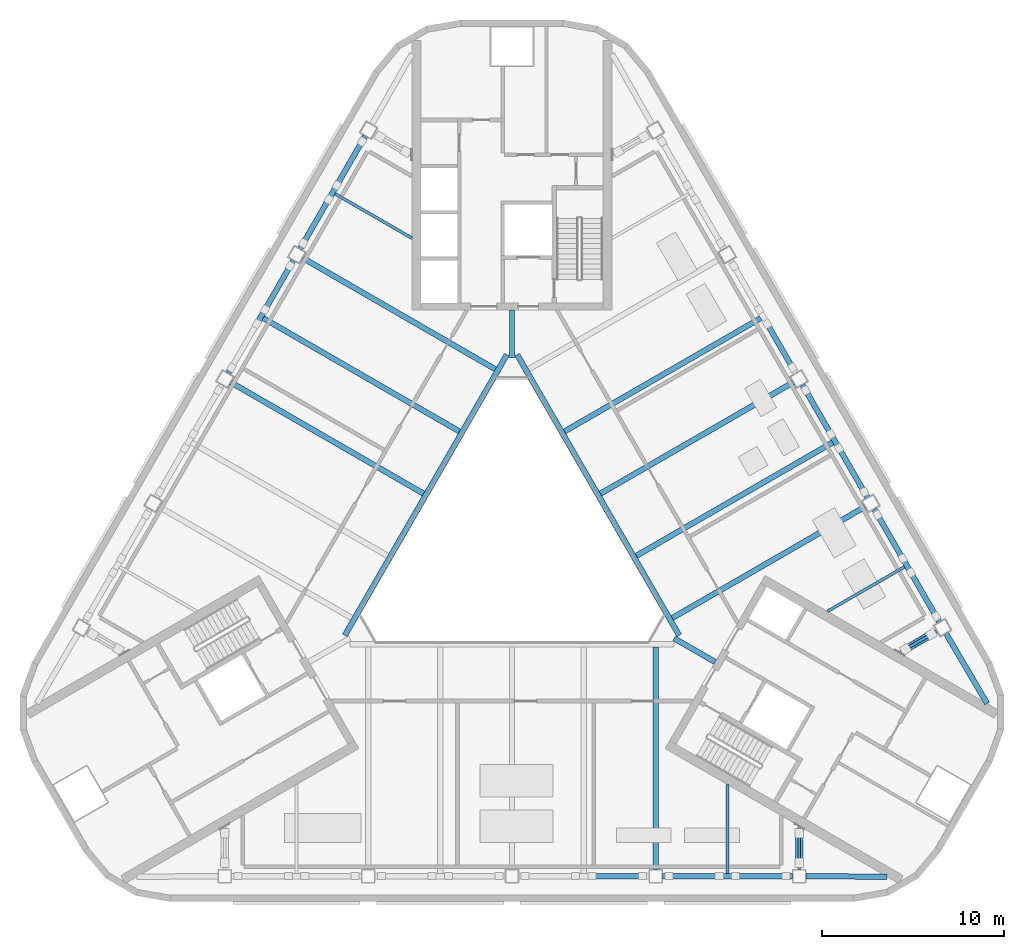
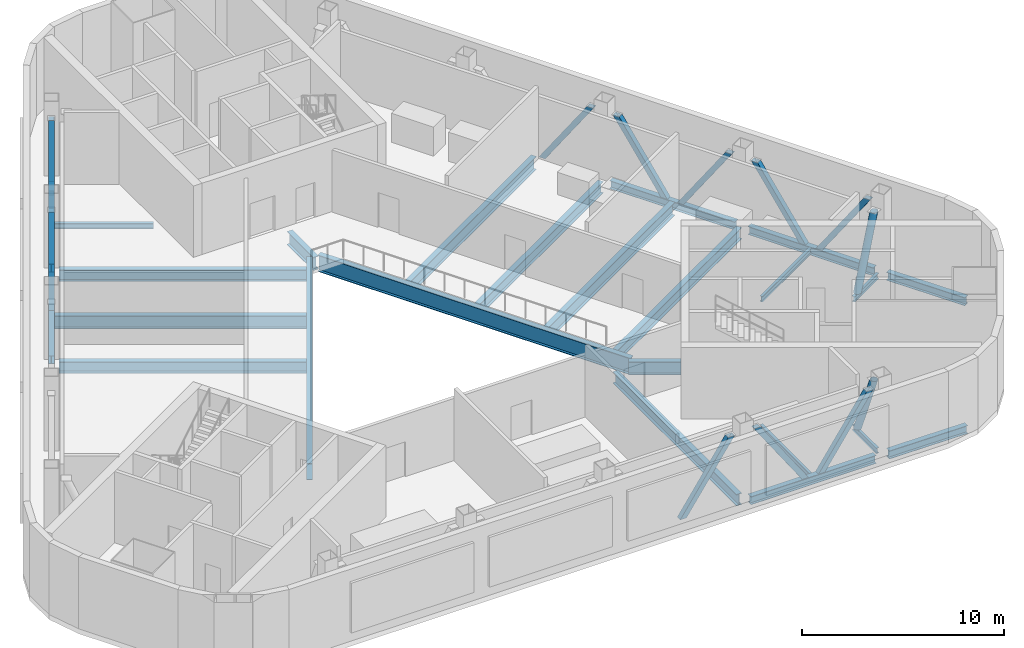
# One storey, part 2 of 14: 24 beams, 13 members.
"""IFC4 building model written with IfcOpenShell, lengths in metres."""

from ifc_helpers import new_model, si_unit, direction, frame, origin, origin_2d, place, context, subcontext, project, spatial, hollow_rectangle, hollow_circle, i_section, extrude, boolean, halfspace, material, material_profile, profile_set, type_object, element, save


model = new_model("IFC4")

# Units and contexts
model_context = context("Model", 3, precision=1e-05, world=origin(), true_north=direction((0.0, 1.0)))
body_context = subcontext(model_context, "Body", "Model", "MODEL_VIEW")
ifc_project = project(units=[si_unit("LENGTHUNIT", "METRE"), si_unit("AREAUNIT", "SQUARE_METRE"), si_unit("VOLUMEUNIT", "CUBIC_METRE"), si_unit("PLANEANGLEUNIT", "RADIAN"), si_unit("MASSUNIT", "GRAM", prefix="KILO")], contexts=[model_context])

# Site, building, storey
site_placement = place(None, origin())
site = spatial("IfcSite", under=ifc_project, at=site_placement, CompositionType="ELEMENT")
building_placement = place(site_placement, origin())
building = spatial("IfcBuilding", under=site, at=building_placement, Name="Apuvela Tower Hotel", CompositionType="ELEMENT")
storey_placement = place(building_placement, frame((0.0, 0.0, 242.199951171875)))
storey = spatial("IfcBuildingStorey", under=building, at=storey_placement, Name="L59 Plant", CompositionType="ELEMENT", Elevation=242.199951171875)

# Beams
ifc_material = material(Name="Steel S355", Category="steel")
ifc_material_profile_1 = material_profile(ifc_material, i_section(OverallWidth=0.300048828125, OverallDepth=0.68994140625, WebThickness=0.014404296875, FlangeThickness=0.027099609375, at=origin_2d()), Name="HE 700 A")
ifc_profile_set_1 = profile_set([ifc_material_profile_1], Name="Steel S355")
beam_type_1 = type_object("IfcBeamType", Name="STR-B floor beam HE 700 A", PredefinedType="BEAM", material=ifc_profile_set_1)
for number, where, z_axis, x_axis, name in (
    (1, (19.412841796875, 2.0859375, -0.64501953125), (-0.866025418325, -0.499999974815, 0.0), (0.499999974815, -0.866025418325, 0.0), "Floor beam B6 NE3"),
    (2, (15.462890625, 8.927490234375, -0.64501953125), (-0.866025418325, -0.499999974815, 0.0), (0.499999974815, -0.866025418325, 0.0), "Floor beam B6 NE5"),
):
    element("IfcBeam", number, at=place(storey_placement, frame(where, z_axis=z_axis, x_axis=x_axis)), inside=storey, type_object=beam_type_1, Name=name, PredefinedType="BEAM", context=body_context, shape_type="SweptSolid", body=[
        extrude(i_section(OverallWidth=0.300048828125, OverallDepth=0.68994140625, WebThickness=0.014404296875, FlangeThickness=0.027099609375, at=origin_2d()), origin(), (0.0, 0.0, 1.0), 12.23486328125),
    ])
beam_1_placement = place(storey_placement, frame((-11.512939453125, 15.76904296875, -0.64501953125), z_axis=(0.866030406821, -0.499991334387, 0.0), x_axis=(0.499991334387, 0.866030406821, 0.0)))
element("IfcBeam", 3, at=beam_1_placement, inside=storey, type_object=beam_type_1, Name="Floor beam B6 NW3", PredefinedType="BEAM", context=body_context, shape_type="SweptSolid", body=[
    extrude(i_section(OverallWidth=0.300048828125, OverallDepth=0.68994140625, WebThickness=0.014404296875, FlangeThickness=0.027099609375, at=origin_2d()), origin(), (0.0, 0.0, 1.0), 12.235107421875),
])
for number, where, z_axis, x_axis, name in (
    (4, (-15.462890625, 8.927490234375, -0.64501953125), (0.866025418325, -0.499999974815, 0.0), (0.499999974815, 0.866025418325, 0.0), "Floor beam B6 NW5"),
    (5, (7.89990234375, -17.85498046875, -0.64501953125), (0.0, 1.0, 0.0), (-1.0, 0.0, 0.0), "Floor beam B6 S7"),
):
    element("IfcBeam", number, at=place(storey_placement, frame(where, z_axis=z_axis, x_axis=x_axis)), inside=storey, type_object=beam_type_1, Name=name, PredefinedType="BEAM", context=body_context, shape_type="SweptSolid", body=[
        extrude(i_section(OverallWidth=0.300048828125, OverallDepth=0.68994140625, WebThickness=0.014404296875, FlangeThickness=0.027099609375, at=origin_2d()), origin(), (0.0, 0.0, 1.0), 12.23486328125),
    ])
ifc_material_profile_2 = material_profile(ifc_material, i_section(OverallWidth=0.300048828125, OverallDepth=0.7900390625, WebThickness=0.014892578125, FlangeThickness=0.028076171875, at=origin_2d()), Name="HE 800 A")
ifc_profile_set_2 = profile_set([ifc_material_profile_2], Name="Steel S355")
beam_type_2 = type_object("IfcBeamType", Name="STR-B floor beam HE 800 A", PredefinedType="BEAM", material=ifc_profile_set_2)
for number, where, z_axis, x_axis, name in (
    (6, (17.6328125, 5.619140625, -0.695068359375), (-0.866027987673, -0.499995524547, 0.0), (0.499995524547, -0.866027987673, 0.0), "Floor beam B5 NE4"),
    (7, (13.6826171875, 12.460693359375, -0.695068359375), (-0.866023089177, -0.500004008996, 0.0), (0.500004008996, -0.866023089177, 0.0), "Floor beam B5 NE6"),
    (8, (-13.6826171875, 12.460693359375, -0.695068359375), (0.866023089177, -0.500004008996, 0.0), (0.500004008996, 0.866023089177, 0.0), "Floor beam B5 NW4"),
):
    element("IfcBeam", number, at=place(storey_placement, frame(where, z_axis=z_axis, x_axis=x_axis)), inside=storey, type_object=beam_type_2, Name=name, PredefinedType="BEAM", context=body_context, shape_type="SweptSolid", body=[
        extrude(i_section(OverallWidth=0.300048828125, OverallDepth=0.7900390625, WebThickness=0.014892578125, FlangeThickness=0.028076171875, at=origin_2d()), origin(), (0.0, 0.0, 1.0), 12.4599609375),
    ])
ifc_material_profile_3 = material_profile(ifc_material, i_section(OverallWidth=0.159912109375, OverallDepth=0.330078125, WebThickness=0.007568359375, FlangeThickness=0.011474609375, at=origin_2d()), Name="IPE 330")
ifc_profile_set_3 = profile_set([ifc_material_profile_3], Name="Steel S355")
beam_type_3 = type_object("IfcBeamType", Name="STR-B floor beam IPE 330", PredefinedType="BEAM", material=ifc_profile_set_3)
beam_2_placement = place(storey_placement, frame((23.36279296875, -4.755615234375, -0.46484375), z_axis=(-0.865982457891, -0.500074377092, 0.0), x_axis=(0.500074377092, -0.865982457891, 0.0)))
element("IfcBeam", 9, at=beam_2_placement, inside=storey, type_object=beam_type_3, Name="Floor beam B1 NE1", PredefinedType="BEAM", context=body_context, shape_type="SweptSolid", body=[
    extrude(i_section(OverallWidth=0.159912109375, OverallDepth=0.330078125, WebThickness=0.007568359375, FlangeThickness=0.011474609375, at=origin_2d()), origin(), (0.0, 0.0, 1.0), 2.382080078125),
])
for number, where, z_axis, x_axis, name in (
    (10, (21.582763671875, -1.222412109375, -0.46484375), (-0.866015056278, -0.500017921979, 0.0), (0.500017921979, -0.866015056278, 0.0), "Floor beam B1 NE2"),
    (11, (-9.732666015625, 19.302490234375, -0.46484375), (0.866015056278, -0.500017921979, 0.0), (0.500017921979, 0.866015056278, 0.0), "Floor beam B1 NW2"),
):
    element("IfcBeam", number, at=place(storey_placement, frame(where, z_axis=z_axis, x_axis=x_axis)), inside=storey, type_object=beam_type_3, Name=name, PredefinedType="BEAM", context=body_context, shape_type="SweptSolid", body=[
        extrude(i_section(OverallWidth=0.159912109375, OverallDepth=0.330078125, WebThickness=0.007568359375, FlangeThickness=0.011474609375, at=origin_2d()), origin(), (0.0, 0.0, 1.0), 4.887451171875),
    ])
beam_3_placement = place(storey_placement, frame((11.85009765625, -18.080078125, -0.46484375), z_axis=(0.0, 1.0, 0.0), x_axis=(-1.0, 0.0, 0.0)))
element("IfcBeam", 12, at=beam_3_placement, inside=storey, type_object=beam_type_3, Name="Floor beam B1 S8", PredefinedType="BEAM", context=body_context, shape_type="SweptSolid", body=[
    extrude(i_section(OverallWidth=0.159912109375, OverallDepth=0.330078125, WebThickness=0.007568359375, FlangeThickness=0.011474609375, at=origin_2d()), origin(), (0.0, 0.0, 1.0), 4.8876953125),
])
beam_4_placement = place(storey_placement, frame((15.800048828125, -17.85498046875, -0.46484375), z_axis=(0.0, 1.0, 0.0), x_axis=(-1.0, 0.0, 0.0)))
element("IfcBeam", 13, at=beam_4_placement, inside=storey, type_object=beam_type_3, Name="Floor beam B1 S9", PredefinedType="BEAM", context=body_context, shape_type="SweptSolid", body=[
    extrude(i_section(OverallWidth=0.159912109375, OverallDepth=0.330078125, WebThickness=0.007568359375, FlangeThickness=0.011474609375, at=origin_2d()), origin(), (0.0, 0.0, 1.0), 2.382080078125),
])
ifc_material_profile_4 = material_profile(ifc_material, i_section(OverallWidth=0.300048828125, OverallDepth=1.0, WebThickness=0.01904296875, FlangeThickness=0.035888671875, at=origin_2d()), Name="HE 1000 B")
ifc_profile_set_4 = profile_set([ifc_material_profile_4], Name="Steel S355")
beam_type_4 = type_object("IfcBeamType", Name="STR-G atrium ring girder HE 1000 B", PredefinedType="BEAM", material=ifc_profile_set_4)
for number, where, z_axis, x_axis, name in (
    (14, (-0.27978515625, 10.455078125, -0.800048828125), (-0.500006541319, -0.866021627119, 0.0), (0.866021627119, -0.500006541319, 0.0), "Atrium ring girder G2 N-SW"),
    (15, (9.1943359375, -4.985107421875, -0.800048828125), (-0.500006541319, 0.866021627119, 0.0), (-0.866021627119, -0.500006541319, 0.0), "Atrium ring girder G2 SE-N"),
):
    element("IfcBeam", number, at=place(storey_placement, frame(where, z_axis=z_axis, x_axis=x_axis)), inside=storey, type_object=beam_type_4, Name=name, PredefinedType="BEAM", context=body_context, shape_type="SweptSolid", body=[
        extrude(i_section(OverallWidth=0.300048828125, OverallDepth=1.0, WebThickness=0.01904296875, FlangeThickness=0.035888671875, at=origin_2d()), origin(), (0.0, 0.0, 1.0), 17.828857421875),
    ])
ifc_material_profile_5 = material_profile(ifc_material, i_section(OverallWidth=0.300048828125, OverallDepth=0.800048828125, WebThickness=0.017578125, FlangeThickness=0.032958984375, at=origin_2d()), Name="HE 800 B")
ifc_profile_set_5 = profile_set([ifc_material_profile_5], Name="Steel S355")
beam_type_5 = type_object("IfcBeamType", Name="STR-GT core tie beam HE 800 B", PredefinedType="BEAM", material=ifc_profile_set_5)
for number, where, z_axis, x_axis, name in (
    (16, (0.0, 12.89990234375, -0.699951171875), (0.0, -1.0, 0.0), (1.0, 0.0, 0.0), "Core tie beam GT1 N"),
    (17, (11.171630859375, -6.449951171875, -0.699951171875), (-0.865997922154, 0.500047596559, 0.0), (-0.500047596559, -0.865997922154, 0.0), "Core tie beam GT1 SE"),
):
    element("IfcBeam", number, at=place(storey_placement, frame(where, z_axis=z_axis, x_axis=x_axis)), inside=storey, type_object=beam_type_5, Name=name, PredefinedType="BEAM", context=body_context, shape_type="SweptSolid", body=[
        extrude(i_section(OverallWidth=0.300048828125, OverallDepth=0.800048828125, WebThickness=0.017578125, FlangeThickness=0.032958984375, at=origin_2d()), origin(), (0.0, 0.0, 1.0), 2.599853515625),
    ])
ifc_material_profile_6 = material_profile(ifc_material, i_section(OverallWidth=0.300048828125, OverallDepth=0.489990234375, WebThickness=0.011962890625, FlangeThickness=0.02294921875, at=origin_2d()), Name="HE 500 A")
ifc_profile_set_6 = profile_set([ifc_material_profile_6], Name="Steel S355")
beam_type_6 = type_object("IfcBeamType", Name="STR-SB spandrel beam HE 500 A", PredefinedType="SPANDREL", material=ifc_profile_set_6)
beam_5_placement = place(storey_placement, frame((8.27490234375, -18.22998046875, -0.544921875), z_axis=(1.0, 0.0, 0.0), x_axis=(0.0, 1.0, 0.0)))
element("IfcBeam", 18, at=beam_5_placement, inside=storey, type_object=beam_type_6, Name="Spandrel beam SB3 S4", PredefinedType="SPANDREL", context=body_context, shape_type="SweptSolid", body=[
    extrude(i_section(OverallWidth=0.300048828125, OverallDepth=0.489990234375, WebThickness=0.011962890625, FlangeThickness=0.02294921875, at=origin_2d()), origin(), (0.0, 0.0, 1.0), 7.150146484375),
])
beam_6_placement = place(storey_placement, frame((23.5, -4.243408203125, -0.544921875), z_axis=(-0.500006209673, 0.866021818598, 0.0), x_axis=(-0.866021818598, -0.500006209673, 0.0)))
element("IfcBeam", 19, at=beam_6_placement, inside=storey, type_object=beam_type_6, Name="Spandrel beam SB3 NE1", PredefinedType="SPANDREL", context=body_context, shape_type="SweptSolid", body=[
    extrude(i_section(OverallWidth=0.300048828125, OverallDepth=0.489990234375, WebThickness=0.011962890625, FlangeThickness=0.02294921875, at=origin_2d()), origin(), (0.0, 0.0, 1.0), 7.14990234375),
])
beam_7_placement = place(storey_placement, frame((19.550048828125, 2.59814453125, -0.544921875), z_axis=(-0.499991424076, 0.86603035504, 0.0), x_axis=(-0.86603035504, -0.499991424076, 0.0)))
element("IfcBeam", 20, at=beam_7_placement, inside=storey, type_object=beam_type_6, Name="Spandrel beam SB3 NE2", PredefinedType="SPANDREL", context=body_context, shape_type="SweptSolid", body=[
    extrude(i_section(OverallWidth=0.300048828125, OverallDepth=0.489990234375, WebThickness=0.011962890625, FlangeThickness=0.02294921875, at=origin_2d()), origin(), (0.0, 0.0, 1.0), 7.150146484375),
])
beam_8_placement = place(storey_placement, frame((-8.0751953125, 22.473388671875, -0.544921875), z_axis=(-0.500006209673, -0.866021818598, 0.0), x_axis=(0.866021818598, -0.500006209673, 0.0)))
element("IfcBeam", 21, at=beam_8_placement, inside=storey, type_object=beam_type_6, Name="Spandrel beam SB3 NW1", PredefinedType="SPANDREL", context=body_context, shape_type="SweptSolid", body=[
    extrude(i_section(OverallWidth=0.300048828125, OverallDepth=0.489990234375, WebThickness=0.011962890625, FlangeThickness=0.02294921875, at=origin_2d()), origin(), (0.0, 0.0, 1.0), 7.14990234375),
])
beam_9_placement = place(storey_placement, frame((-12.025146484375, 15.6318359375, -0.544921875), z_axis=(-0.499991424076, -0.86603035504, 0.0), x_axis=(0.86603035504, -0.499991424076, 0.0)))
element("IfcBeam", 22, at=beam_9_placement, inside=storey, type_object=beam_type_6, Name="Spandrel beam SB3 NW2", PredefinedType="SPANDREL", context=body_context, shape_type="SweptSolid", body=[
    extrude(i_section(OverallWidth=0.300048828125, OverallDepth=0.489990234375, WebThickness=0.011962890625, FlangeThickness=0.02294921875, at=origin_2d()), origin(), (0.0, 0.0, 1.0), 7.150146484375),
])
for number, where, z_axis, x_axis, name in (
    (23, (16.175048828125, -18.232666015625, -0.544921875), (0.999976567383, -0.006845778571, 0.0), (0.006845778571, 0.999976567383, 0.0), "Spandrel beam SB3 S5-SE"),
    (24, (23.87744140625, -4.8916015625, -0.544921875), (0.505933122104, -0.862572707636, 0.0), (0.862572707636, 0.505933122104, 0.0), "Spandrel beam SB3 NE1-SE"),
):
    element("IfcBeam", number, at=place(storey_placement, frame(where, z_axis=z_axis, x_axis=x_axis)), inside=storey, type_object=beam_type_6, Name=name, PredefinedType="SPANDREL", context=body_context, shape_type="SweptSolid", body=[
        extrude(i_section(OverallWidth=0.300048828125, OverallDepth=0.489990234375, WebThickness=0.011962890625, FlangeThickness=0.02294921875, at=origin_2d()), origin(), (0.0, 0.0, 1.0), 4.457763671875),
    ])

# Members
ifc_material_profile_7 = material_profile(ifc_material, hollow_rectangle(XDim=0.300048828125, YDim=0.300048828125, WallThickness=0.012451171875, at=origin_2d()), Name="SHS 300x300x12.5")
ifc_profile_set_7 = profile_set([ifc_material_profile_7], Name="Steel S355")
member_type_1 = type_object("IfcMemberType", Name="STR-T2 belt truss diagonal SHS 300x300x12.5", PredefinedType="BRACE", material=ifc_profile_set_7)
member_1_placement = place(storey_placement, frame((4.39990234375, -18.22998046875, -0.300048828125), z_axis=(0.565247106816, 0.0, 0.824921637633), x_axis=(-0.824921637633, 0.0, 0.565247106816)))
solid_1 = boolean("DIFFERENCE", boolean("DIFFERENCE", extrude(hollow_rectangle(XDim=0.300048828125, YDim=0.300048828125, WallThickness=0.012451171875, at=origin_2d()), frame((0.0, 0.0, -0.222900390625)), (0.0, 0.0, 1.0), 5.355224609375), halfspace(frame((0.0, 0.0, 0.0244140625), z_axis=(0.565247106816, 0.0, 0.824921637633), x_axis=(0.824921637633, 0.0, -0.565247106816)), True)), halfspace(frame((0.0, 0.0, 4.885498046875), z_axis=(0.565247106816, 0.0, 0.824921637633), x_axis=(0.824921637633, 0.0, -0.565247106816)), False))
element("IfcMember", 25, at=member_1_placement, inside=storey, type_object=member_type_1, Name="Belt truss diagonal BR3 S3", PredefinedType="BRACE", context=body_context, shape_type="SweptSolid", body=[
    boolean("UNION", boolean("DIFFERENCE", boolean("DIFFERENCE", extrude(hollow_rectangle(XDim=0.300048828125, YDim=0.300048828125, WallThickness=0.012451171875, at=origin_2d()), origin(), (0.0, 0.0, 1.0), 4.90966796875), halfspace(frame((0.0, 0.0, 0.0244140625), z_axis=(0.565247106816, 0.0, 0.824921637633), x_axis=(0.824921637633, 0.0, -0.565247106816)), True)), halfspace(frame((0.0, 0.0, 4.885498046875), z_axis=(0.565247106816, 0.0, 0.824921637633), x_axis=(0.824921637633, 0.0, -0.565247106816)), False)), solid_1),
])
member_2_placement = place(storey_placement, frame((11.39990234375, -18.22998046875, -0.300048828125), z_axis=(-0.565213266362, 0.0, 0.824944824536), x_axis=(0.824944824536, 0.0, 0.565213266362)))
solid_2 = boolean("DIFFERENCE", boolean("DIFFERENCE", extrude(hollow_rectangle(XDim=0.300048828125, YDim=0.300048828125, WallThickness=0.012451171875, at=origin_2d()), frame((0.0, 0.0, -0.222900390625)), (0.0, 0.0, 1.0), 5.35498046875), halfspace(frame((0.0, 0.0, 0.0244140625), z_axis=(0.565213266362, 0.0, 0.824944824536), x_axis=(0.824944824536, 0.0, -0.565213266362)), True)), halfspace(frame((0.0, 0.0, 4.88525390625), z_axis=(0.565213266362, 0.0, 0.824944824536), x_axis=(0.824944824536, 0.0, -0.565213266362)), False))
element("IfcMember", 26, at=member_2_placement, inside=storey, type_object=member_type_1, Name="Belt truss diagonal BR3 S4", PredefinedType="BRACE", context=body_context, shape_type="SweptSolid", body=[
    boolean("UNION", boolean("DIFFERENCE", boolean("DIFFERENCE", extrude(hollow_rectangle(XDim=0.300048828125, YDim=0.300048828125, WallThickness=0.012451171875, at=origin_2d()), origin(), (0.0, 0.0, 1.0), 4.909423828125), halfspace(frame((0.0, 0.0, 0.0244140625), z_axis=(0.565213266362, 0.0, 0.824944824536), x_axis=(0.824944824536, 0.0, -0.565213266362)), True)), halfspace(frame((0.0, 0.0, 4.88525390625), z_axis=(0.565213266362, 0.0, 0.824944824536), x_axis=(0.824944824536, 0.0, -0.565213266362)), False)), solid_2),
])
member_3_placement = place(storey_placement, frame((12.300048828125, -18.22998046875, -0.300048828125), z_axis=(0.565213266362, 0.0, 0.824944824536), x_axis=(-0.824944824536, 0.0, 0.565213266362)))
solid_3 = boolean("DIFFERENCE", boolean("DIFFERENCE", extrude(hollow_rectangle(XDim=0.300048828125, YDim=0.300048828125, WallThickness=0.012451171875, at=origin_2d()), frame((0.0, 0.0, -0.222900390625)), (0.0, 0.0, 1.0), 5.35498046875), halfspace(frame((0.0, 0.0, 0.0244140625), z_axis=(0.565213266362, 0.0, 0.824944824536), x_axis=(0.824944824536, 0.0, -0.565213266362)), True)), halfspace(frame((0.0, 0.0, 4.88525390625), z_axis=(0.565213266362, 0.0, 0.824944824536), x_axis=(0.824944824536, 0.0, -0.565213266362)), False))
element("IfcMember", 27, at=member_3_placement, inside=storey, type_object=member_type_1, Name="Belt truss diagonal BR3 S4", PredefinedType="BRACE", context=body_context, shape_type="SweptSolid", body=[
    boolean("UNION", boolean("DIFFERENCE", boolean("DIFFERENCE", extrude(hollow_rectangle(XDim=0.300048828125, YDim=0.300048828125, WallThickness=0.012451171875, at=origin_2d()), origin(), (0.0, 0.0, 1.0), 4.909423828125), halfspace(frame((0.0, 0.0, 0.0244140625), z_axis=(0.565213266362, 0.0, 0.824944824536), x_axis=(0.824944824536, 0.0, -0.565213266362)), True)), halfspace(frame((0.0, 0.0, 4.88525390625), z_axis=(0.565213266362, 0.0, 0.824944824536), x_axis=(0.824944824536, 0.0, -0.565213266362)), False)), solid_3),
])
member_4_placement = place(storey_placement, frame((21.9375, -1.537109375, -0.300048828125), z_axis=(0.282654072805, -0.489472913198, 0.824938144574), x_axis=(-0.412531195376, 0.714381519368, 0.565223015833)))
solid_4 = boolean("DIFFERENCE", boolean("DIFFERENCE", extrude(hollow_rectangle(XDim=0.300048828125, YDim=0.300048828125, WallThickness=0.012451171875, at=origin_2d()), frame((0.0, 0.0, -0.222900390625)), (0.0, 0.0, 1.0), 5.355224609375), halfspace(frame((0.0, 0.0, 0.0244140625), z_axis=(0.565223015833, 0.0, 0.824938144574), x_axis=(0.824938144574, 0.0, -0.565223015833)), True)), halfspace(frame((0.0, 0.0, 4.88525390625), z_axis=(0.565223015833, 0.0, 0.824938144574), x_axis=(0.824938144574, 0.0, -0.565223015833)), False))
element("IfcMember", 28, at=member_4_placement, inside=storey, type_object=member_type_1, Name="Belt truss diagonal BR3 NE1", PredefinedType="BRACE", context=body_context, shape_type="SweptSolid", body=[
    boolean("UNION", boolean("DIFFERENCE", boolean("DIFFERENCE", extrude(hollow_rectangle(XDim=0.300048828125, YDim=0.300048828125, WallThickness=0.012451171875, at=origin_2d()), origin(), (0.0, 0.0, 1.0), 4.909423828125), halfspace(frame((0.0, 0.0, 0.0244140625), z_axis=(0.565223015833, 0.0, 0.824938144574), x_axis=(0.824938144574, 0.0, -0.565223015833)), True)), halfspace(frame((0.0, 0.0, 4.88525390625), z_axis=(0.565223015833, 0.0, 0.824938144574), x_axis=(0.824938144574, 0.0, -0.565223015833)), False)), solid_4),
])
member_5_placement = place(storey_placement, frame((21.487548828125, -0.7578125, -0.300048828125), z_axis=(-0.282601437631, 0.489517605497, 0.82492965843), x_axis=(0.412441094398, -0.714423743313, 0.565235401087)))
solid_5 = boolean("DIFFERENCE", boolean("DIFFERENCE", extrude(hollow_rectangle(XDim=0.300048828125, YDim=0.300048828125, WallThickness=0.012451171875, at=origin_2d()), frame((0.0, 0.0, -0.222900390625)), (0.0, 0.0, 1.0), 5.355224609375), halfspace(frame((0.0, 0.0, 0.0244140625), z_axis=(0.565235401087, 0.0, 0.82492965843), x_axis=(0.82492965843, 0.0, -0.565235401087)), True)), halfspace(frame((0.0, 0.0, 4.885498046875), z_axis=(0.565235401087, 0.0, 0.82492965843), x_axis=(0.82492965843, 0.0, -0.565235401087)), False))
element("IfcMember", 29, at=member_5_placement, inside=storey, type_object=member_type_1, Name="Belt truss diagonal BR3 NE1", PredefinedType="BRACE", context=body_context, shape_type="SweptSolid", body=[
    boolean("UNION", boolean("DIFFERENCE", boolean("DIFFERENCE", extrude(hollow_rectangle(XDim=0.300048828125, YDim=0.300048828125, WallThickness=0.012451171875, at=origin_2d()), origin(), (0.0, 0.0, 1.0), 4.90966796875), halfspace(frame((0.0, 0.0, 0.0244140625), z_axis=(0.565235401087, 0.0, 0.82492965843), x_axis=(0.82492965843, 0.0, -0.565235401087)), True)), halfspace(frame((0.0, 0.0, 4.885498046875), z_axis=(0.565235401087, 0.0, 0.82492965843), x_axis=(0.82492965843, 0.0, -0.565235401087)), False)), solid_5),
])
member_6_placement = place(storey_placement, frame((17.987548828125, 5.304443359375, -0.300048828125), z_axis=(0.282608316756, -0.489479792685, 0.824949738987), x_axis=(-0.412482561349, 0.714422989857, 0.565206093515)))
solid_6 = boolean("DIFFERENCE", boolean("DIFFERENCE", extrude(hollow_rectangle(XDim=0.300048828125, YDim=0.300048828125, WallThickness=0.012451171875, at=origin_2d()), frame((0.0, 0.0, -0.222900390625)), (0.0, 0.0, 1.0), 5.35498046875), halfspace(frame((0.0, 0.0, 0.0244140625), z_axis=(0.565206093515, 0.0, 0.824949738987), x_axis=(0.824949738987, 0.0, -0.565206093515)), True)), halfspace(frame((0.0, 0.0, 4.88525390625), z_axis=(0.565206093515, 0.0, 0.824949738987), x_axis=(0.824949738987, 0.0, -0.565206093515)), False))
element("IfcMember", 30, at=member_6_placement, inside=storey, type_object=member_type_1, Name="Belt truss diagonal BR3 NE2", PredefinedType="BRACE", context=body_context, shape_type="SweptSolid", body=[
    boolean("UNION", boolean("DIFFERENCE", boolean("DIFFERENCE", extrude(hollow_rectangle(XDim=0.300048828125, YDim=0.300048828125, WallThickness=0.012451171875, at=origin_2d()), origin(), (0.0, 0.0, 1.0), 4.909423828125), halfspace(frame((0.0, 0.0, 0.0244140625), z_axis=(0.565206093515, 0.0, 0.824949738987), x_axis=(0.824949738987, 0.0, -0.565206093515)), True)), halfspace(frame((0.0, 0.0, 4.88525390625), z_axis=(0.565206093515, 0.0, 0.824949738987), x_axis=(0.824949738987, 0.0, -0.565206093515)), False)), solid_6),
])
member_7_placement = place(storey_placement, frame((17.53759765625, 6.083984375, -0.300048828125), z_axis=(-0.282608316756, 0.489479792685, 0.824949738987), x_axis=(0.412482561349, -0.714422989857, 0.565206093515)))
solid_7 = boolean("DIFFERENCE", boolean("DIFFERENCE", extrude(hollow_rectangle(XDim=0.300048828125, YDim=0.300048828125, WallThickness=0.012451171875, at=origin_2d()), frame((0.0, 0.0, -0.222900390625)), (0.0, 0.0, 1.0), 5.35498046875), halfspace(frame((0.0, 0.0, 0.0244140625), z_axis=(0.565206093515, 0.0, 0.824949738987), x_axis=(0.824949738987, 0.0, -0.565206093515)), True)), halfspace(frame((0.0, 0.0, 4.88525390625), z_axis=(0.565206093515, 0.0, 0.824949738987), x_axis=(0.824949738987, 0.0, -0.565206093515)), False))
element("IfcMember", 31, at=member_7_placement, inside=storey, type_object=member_type_1, Name="Belt truss diagonal BR3 NE2", PredefinedType="BRACE", context=body_context, shape_type="SweptSolid", body=[
    boolean("UNION", boolean("DIFFERENCE", boolean("DIFFERENCE", extrude(hollow_rectangle(XDim=0.300048828125, YDim=0.300048828125, WallThickness=0.012451171875, at=origin_2d()), origin(), (0.0, 0.0, 1.0), 4.909423828125), halfspace(frame((0.0, 0.0, 0.0244140625), z_axis=(0.565206093515, 0.0, 0.824949738987), x_axis=(0.824949738987, 0.0, -0.565206093515)), True)), halfspace(frame((0.0, 0.0, 4.88525390625), z_axis=(0.565206093515, 0.0, 0.824949738987), x_axis=(0.824949738987, 0.0, -0.565206093515)), False)), solid_7),
])
member_8_placement = place(storey_placement, frame((14.03759765625, 12.14599609375, -0.300048828125), z_axis=(0.282608316756, -0.489479792685, 0.824949738987), x_axis=(-0.412482561349, 0.714422989857, 0.565206093515)))
solid_8 = boolean("DIFFERENCE", boolean("DIFFERENCE", extrude(hollow_rectangle(XDim=0.300048828125, YDim=0.300048828125, WallThickness=0.012451171875, at=origin_2d()), frame((0.0, 0.0, -0.222900390625)), (0.0, 0.0, 1.0), 5.35498046875), halfspace(frame((0.0, 0.0, 0.0244140625), z_axis=(0.565206093515, 0.0, 0.824949738987), x_axis=(0.824949738987, 0.0, -0.565206093515)), True)), halfspace(frame((0.0, 0.0, 4.88525390625), z_axis=(0.565206093515, 0.0, 0.824949738987), x_axis=(0.824949738987, 0.0, -0.565206093515)), False))
element("IfcMember", 32, at=member_8_placement, inside=storey, type_object=member_type_1, Name="Belt truss diagonal BR3 NE3", PredefinedType="BRACE", context=body_context, shape_type="SweptSolid", body=[
    boolean("UNION", boolean("DIFFERENCE", boolean("DIFFERENCE", extrude(hollow_rectangle(XDim=0.300048828125, YDim=0.300048828125, WallThickness=0.012451171875, at=origin_2d()), origin(), (0.0, 0.0, 1.0), 4.909423828125), halfspace(frame((0.0, 0.0, 0.0244140625), z_axis=(0.565206093515, 0.0, 0.824949738987), x_axis=(0.824949738987, 0.0, -0.565206093515)), True)), halfspace(frame((0.0, 0.0, 4.88525390625), z_axis=(0.565206093515, 0.0, 0.824949738987), x_axis=(0.824949738987, 0.0, -0.565206093515)), False)), solid_8),
])
member_9_placement = place(storey_placement, frame((-9.6376953125, 19.76708984375, -0.300048828125), z_axis=(0.282647192759, 0.489510725813, 0.824918064864), x_axis=(-0.412489726583, -0.714382278057, 0.565252320881)))
solid_9 = boolean("DIFFERENCE", boolean("DIFFERENCE", extrude(hollow_rectangle(XDim=0.300048828125, YDim=0.300048828125, WallThickness=0.012451171875, at=origin_2d()), frame((0.0, 0.0, -0.222900390625)), (0.0, 0.0, 1.0), 5.355224609375), halfspace(frame((0.0, 0.0, 0.0244140625), z_axis=(0.565252320881, 0.0, 0.824918064864), x_axis=(0.824918064864, 0.0, -0.565252320881)), True)), halfspace(frame((0.0, 0.0, 4.885498046875), z_axis=(0.565252320881, 0.0, 0.824918064864), x_axis=(0.824918064864, 0.0, -0.565252320881)), False))
element("IfcMember", 33, at=member_9_placement, inside=storey, type_object=member_type_1, Name="Belt truss diagonal BR3 NW1", PredefinedType="BRACE", context=body_context, shape_type="SweptSolid", body=[
    boolean("UNION", boolean("DIFFERENCE", boolean("DIFFERENCE", extrude(hollow_rectangle(XDim=0.300048828125, YDim=0.300048828125, WallThickness=0.012451171875, at=origin_2d()), origin(), (0.0, 0.0, 1.0), 4.90966796875), halfspace(frame((0.0, 0.0, 0.0244140625), z_axis=(0.565252320881, 0.0, 0.824918064864), x_axis=(0.824918064864, 0.0, -0.565252320881)), True)), halfspace(frame((0.0, 0.0, 4.885498046875), z_axis=(0.565252320881, 0.0, 0.824918064864), x_axis=(0.824918064864, 0.0, -0.565252320881)), False)), solid_9),
])
member_10_placement = place(storey_placement, frame((-10.087646484375, 18.98779296875, -0.300048828125), z_axis=(-0.282601437631, -0.489517605497, 0.82492965843), x_axis=(0.412441094398, 0.714423743313, 0.565235401087)))
solid_10 = boolean("DIFFERENCE", boolean("DIFFERENCE", extrude(hollow_rectangle(XDim=0.300048828125, YDim=0.300048828125, WallThickness=0.012451171875, at=origin_2d()), frame((0.0, 0.0, -0.222900390625)), (0.0, 0.0, 1.0), 5.355224609375), halfspace(frame((0.0, 0.0, 0.0244140625), z_axis=(0.565235401087, 0.0, 0.82492965843), x_axis=(0.82492965843, 0.0, -0.565235401087)), True)), halfspace(frame((0.0, 0.0, 4.885498046875), z_axis=(0.565235401087, 0.0, 0.82492965843), x_axis=(0.82492965843, 0.0, -0.565235401087)), False))
element("IfcMember", 34, at=member_10_placement, inside=storey, type_object=member_type_1, Name="Belt truss diagonal BR3 NW1", PredefinedType="BRACE", context=body_context, shape_type="SweptSolid", body=[
    boolean("UNION", boolean("DIFFERENCE", boolean("DIFFERENCE", extrude(hollow_rectangle(XDim=0.300048828125, YDim=0.300048828125, WallThickness=0.012451171875, at=origin_2d()), origin(), (0.0, 0.0, 1.0), 4.90966796875), halfspace(frame((0.0, 0.0, 0.0244140625), z_axis=(0.565235401087, 0.0, 0.82492965843), x_axis=(0.82492965843, 0.0, -0.565235401087)), True)), halfspace(frame((0.0, 0.0, 4.885498046875), z_axis=(0.565235401087, 0.0, 0.82492965843), x_axis=(0.82492965843, 0.0, -0.565235401087)), False)), solid_10),
])
member_11_placement = place(storey_placement, frame((-13.587646484375, 12.925537109375, -0.300048828125), z_axis=(0.282608316756, 0.489479792685, 0.824949738987), x_axis=(-0.412482561349, -0.714422989857, 0.565206093515)))
solid_11 = boolean("DIFFERENCE", boolean("DIFFERENCE", extrude(hollow_rectangle(XDim=0.300048828125, YDim=0.300048828125, WallThickness=0.012451171875, at=origin_2d()), frame((0.0, 0.0, -0.222900390625)), (0.0, 0.0, 1.0), 5.35498046875), halfspace(frame((0.0, 0.0, 0.0244140625), z_axis=(0.565206093515, 0.0, 0.824949738987), x_axis=(0.824949738987, 0.0, -0.565206093515)), True)), halfspace(frame((0.0, 0.0, 4.88525390625), z_axis=(0.565206093515, 0.0, 0.824949738987), x_axis=(0.824949738987, 0.0, -0.565206093515)), False))
element("IfcMember", 35, at=member_11_placement, inside=storey, type_object=member_type_1, Name="Belt truss diagonal BR3 NW2", PredefinedType="BRACE", context=body_context, shape_type="SweptSolid", body=[
    boolean("UNION", boolean("DIFFERENCE", boolean("DIFFERENCE", extrude(hollow_rectangle(XDim=0.300048828125, YDim=0.300048828125, WallThickness=0.012451171875, at=origin_2d()), origin(), (0.0, 0.0, 1.0), 4.909423828125), halfspace(frame((0.0, 0.0, 0.0244140625), z_axis=(0.565206093515, 0.0, 0.824949738987), x_axis=(0.824949738987, 0.0, -0.565206093515)), True)), halfspace(frame((0.0, 0.0, 4.88525390625), z_axis=(0.565206093515, 0.0, 0.824949738987), x_axis=(0.824949738987, 0.0, -0.565206093515)), False)), solid_11),
])
ifc_material_profile_8 = material_profile(ifc_material, hollow_circle(Radius=0.203125, WallThickness=0.01611328125, at=origin_2d()), Name="CHS 406.4x16")
ifc_profile_set_8 = profile_set([ifc_material_profile_8], Name="Steel S355")
member_type_2 = type_object("IfcMemberType", Name="STR-T2 outrigger truss diagonal CHS 406.4x16", PredefinedType="BRACE", material=ifc_profile_set_8)
member_12_placement = place(storey_placement, frame((21.64306640625, -5.74853515625, -0.300048828125), z_axis=(0.33136220297, 0.191291294149, 0.923908399802), x_axis=(-0.800149854011, -0.461916596749, 0.382613733123)))
solid_12 = boolean("DIFFERENCE", boolean("DIFFERENCE", extrude(hollow_circle(Radius=0.203125, WallThickness=0.01611328125, at=origin_2d()), frame((0.0, 0.0, -0.2041015625)), (0.0, 0.0, 1.0), 4.683837890625), halfspace(frame((0.0, 0.0, 0.021728515625), z_axis=(0.382613733123, 0.0, 0.923908399802), x_axis=(0.923908399802, 0.0, -0.382613733123)), True)), halfspace(frame((0.0, 0.0, 4.253662109375), z_axis=(0.382613733123, 0.0, 0.923908399802), x_axis=(0.923908399802, 0.0, -0.382613733123)), False))
element("IfcMember", 36, at=member_12_placement, inside=storey, type_object=member_type_2, Name="Outrigger diagonal OD3 NE1", PredefinedType="BRACE", context=body_context, shape_type="SweptSolid", body=[
    boolean("UNION", boolean("DIFFERENCE", boolean("DIFFERENCE", extrude(hollow_circle(Radius=0.203125, WallThickness=0.01611328125, at=origin_2d()), origin(), (0.0, 0.0, 1.0), 4.275634765625), halfspace(frame((0.0, 0.0, 0.021728515625), z_axis=(0.382613733123, 0.0, 0.923908399802), x_axis=(0.923908399802, 0.0, -0.382613733123)), True)), halfspace(frame((0.0, 0.0, 4.253662109375), z_axis=(0.382613733123, 0.0, 0.923908399802), x_axis=(0.923908399802, 0.0, -0.382613733123)), False)), solid_12),
])
member_13_placement = place(storey_placement, frame((15.800048828125, -15.869140625, -0.300048828125), z_axis=(0.0, -0.382587147216, 0.923919409248), x_axis=(0.0, 0.923919409248, 0.382587147216)))
solid_13 = boolean("DIFFERENCE", boolean("DIFFERENCE", extrude(hollow_circle(Radius=0.203125, WallThickness=0.01611328125, at=origin_2d()), frame((0.0, 0.0, -0.2041015625)), (0.0, 0.0, 1.0), 4.683837890625), halfspace(frame((0.0, 0.0, 0.021728515625), z_axis=(0.382587147216, 0.0, 0.923919409248), x_axis=(0.923919409248, 0.0, -0.382587147216)), True)), halfspace(frame((0.0, 0.0, 4.253662109375), z_axis=(0.382587147216, 0.0, 0.923919409248), x_axis=(0.923919409248, 0.0, -0.382587147216)), False))
element("IfcMember", 37, at=member_13_placement, inside=storey, type_object=member_type_2, Name="Outrigger diagonal OD3 S5", PredefinedType="BRACE", context=body_context, shape_type="SweptSolid", body=[
    boolean("UNION", boolean("DIFFERENCE", boolean("DIFFERENCE", extrude(hollow_circle(Radius=0.203125, WallThickness=0.01611328125, at=origin_2d()), origin(), (0.0, 0.0, 1.0), 4.275390625), halfspace(frame((0.0, 0.0, 0.021728515625), z_axis=(0.382587147216, 0.0, 0.923919409248), x_axis=(0.923919409248, 0.0, -0.382587147216)), True)), halfspace(frame((0.0, 0.0, 4.253662109375), z_axis=(0.382587147216, 0.0, 0.923919409248), x_axis=(0.923919409248, 0.0, -0.382587147216)), False)), solid_13),
])

save(model, "model.ifc")
